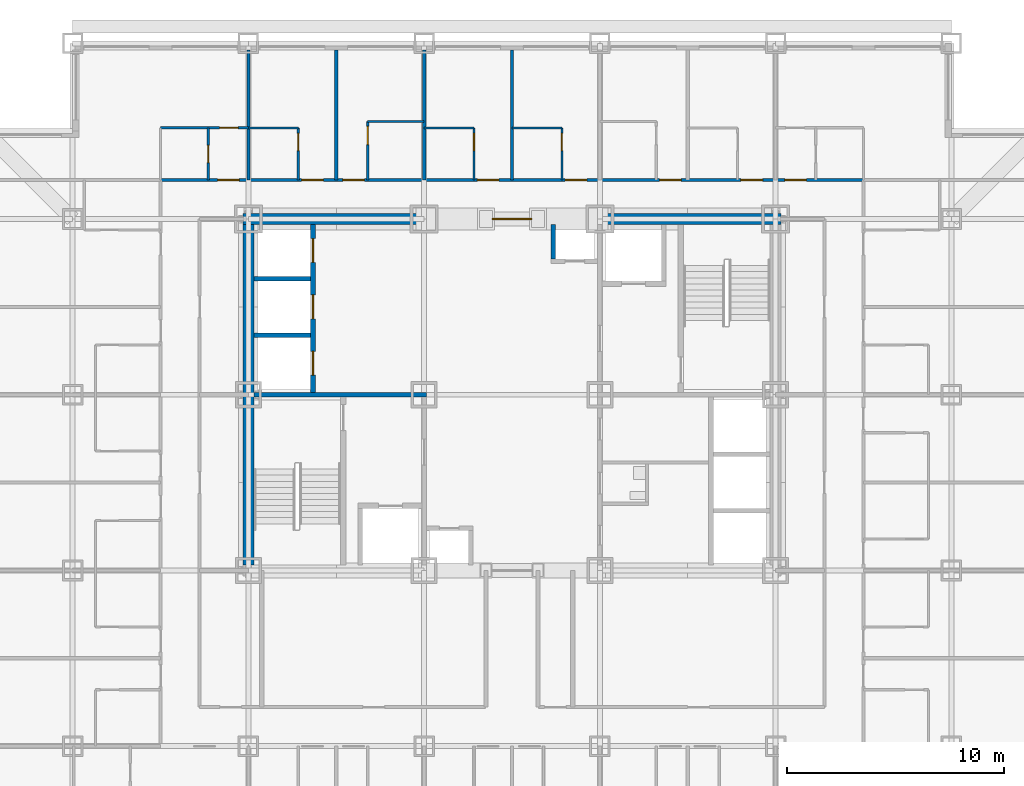
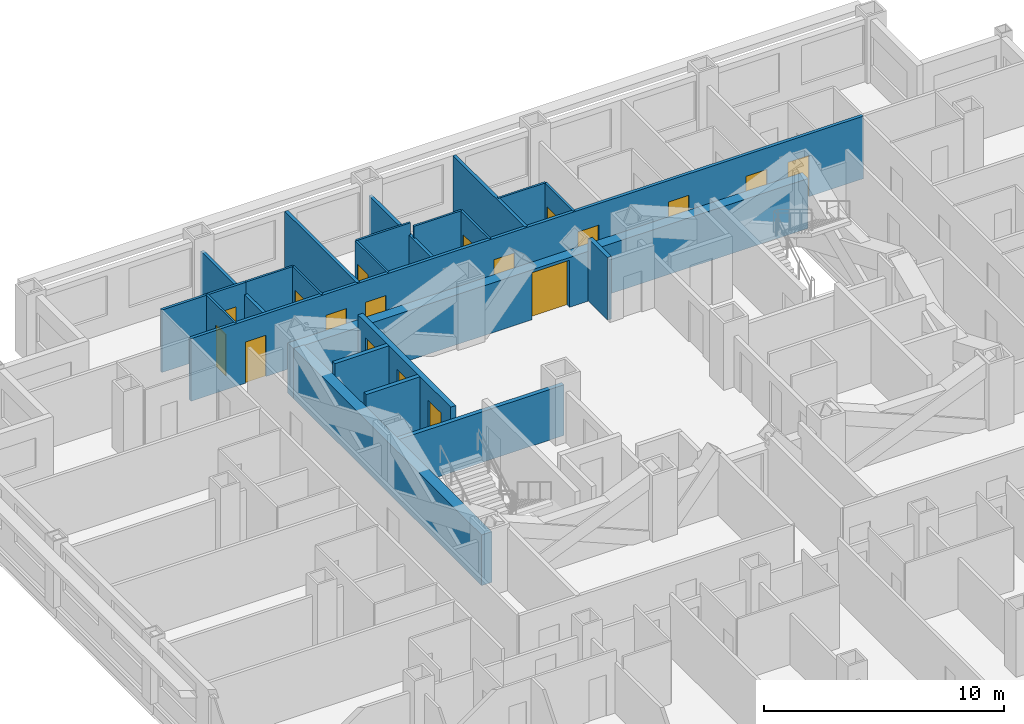
# One storey, part 8 of 12: 22 walls, 18 doors, 18 openings.
"""IFC4 building model written with IfcOpenShell, lengths in metres."""

from ifc_helpers import new_model, si_unit, direction, frame, frame_2d, origin, place, context, subcontext, project, spatial, rectangle, extrude, material, layer, layer_set, type_object, element, fill, save


model = new_model("IFC4")

# Units and contexts
model_context = context("Model", 3, precision=1e-05, world=origin(), true_north=direction((0.0, 1.0)))
body_context = subcontext(model_context, "Body", "Model", "MODEL_VIEW")
ifc_project = project(units=[si_unit("LENGTHUNIT", "METRE"), si_unit("AREAUNIT", "SQUARE_METRE"), si_unit("VOLUMEUNIT", "CUBIC_METRE"), si_unit("PLANEANGLEUNIT", "RADIAN"), si_unit("MASSUNIT", "GRAM", prefix="KILO")], contexts=[model_context])

# Site, building, storey
site_placement = place(None, origin())
site = spatial("IfcSite", under=ifc_project, at=site_placement, CompositionType="ELEMENT")
building_placement = place(site_placement, origin())
building = spatial("IfcBuilding", under=site, at=building_placement, Name="Kopane Lantern Tower", CompositionType="ELEMENT")
storey_placement = place(building_placement, frame((0.0, 0.0, 36.39990234375)))
storey = spatial("IfcBuildingStorey", under=building, at=storey_placement, Name="L07", CompositionType="ELEMENT", Elevation=36.39990234375)

# Wall, opening, door
ifc_material_1 = material(Name="Gypsum board on steel studs", Category="steel")
ifc_layer_1 = layer(ifc_material_1, 0.1201171875)
ifc_layer_set_1 = layer_set([ifc_layer_1], Name="APARTMENT INTERNAL WALL 120")
wall_type_1 = type_object("IfcWallType", Name="APARTMENT INTERNAL WALL 120", PredefinedType="PARTITIONING", material=ifc_layer_set_1)
wall_1_placement = place(storey_placement, frame((12.14990234375, 44.699951171875, 0.0), z_axis=(0.0, 0.0, 1.0), x_axis=(1.0, 0.0, 0.0)))
wall_1 = element("IfcWall", 1, at=wall_1_placement, inside=storey, type_object=wall_type_1, Name="Apartment Internal Wall 120 L07", PredefinedType="PARTITIONING", context=body_context, shape_type="SweptSolid", body=[
    extrude(rectangle(XDim=4.050048828125, YDim=0.1201171875, at=frame_2d((2.02490234375, 0.0))), origin(), (0.0, 0.0, 1.0), 3.190185546875),
])
opening_1_placement = place(wall_1_placement, frame((2.72509765625, 0.0, 0.0)))
opening_1 = element("IfcOpeningElement", 2, at=opening_1_placement, cuts=wall_1, Name="Opening L07-074", PredefinedType="OPENING", context=body_context, shape_type="SweptSolid", body=[
    extrude(rectangle(XDim=0.85009765625, YDim=2.10009765625, at=frame_2d((0.425048828125, 1.050048828125))), frame((0.0, 0.070068359375, 0.0), z_axis=(0.0, -1.0, 0.0), x_axis=(1.0, 0.0, 0.0)), (0.0, 0.0, 1.0), 0.14013671875),
])
ifc_material_2 = material(Name="Timber door set", Category="wood")
door_type_1 = type_object("IfcDoorType", Name="DOOR D4 850x2100", OperationType="SINGLE_SWING_LEFT", PredefinedType="DOOR", material=ifc_material_2)
door_1_placement = place(opening_1_placement, origin())
door_1 = element("IfcDoor", 3, at=door_1_placement, inside=storey, type_object=door_type_1, Name="Door L07-074", OperationType="SINGLE_SWING_LEFT", OverallHeight=2.10009765625, OverallWidth=0.85009765625, PredefinedType="DOOR", context=body_context, shape_type="SweptSolid", body=[
    extrude(rectangle(XDim=0.85009765625, YDim=2.10009765625, at=frame_2d((0.425048828125, 1.050048828125))), frame((0.0, 0.02490234375, 0.0), z_axis=(0.0, -1.0, 0.0), x_axis=(1.0, 0.0, 0.0)), (0.0, 0.0, 1.0), 0.050048828125),
])
fill(opening_1, door_1)

# Wall
ifc_material_3 = material(Name="Moisture-resistant board on steel studs", Category="steel")
ifc_layer_2 = layer(ifc_material_3, 0.10009765625)
ifc_layer_set_2 = layer_set([ifc_layer_2], Name="BATHROOM WALL 100")
wall_type_2 = type_object("IfcWallType", Name="BATHROOM WALL 100", PredefinedType="PARTITIONING", material=ifc_layer_set_2)
wall_2_placement = place(storey_placement, frame((16.199951171875, 44.699951171875, 0.0), z_axis=(0.0, 0.0, 1.0), x_axis=(1.0, 0.0, 0.0)))
element("IfcWall", 4, at=wall_2_placement, inside=storey, type_object=wall_type_2, Name="Bathroom Wall 100 L07", PredefinedType="PARTITIONING", context=body_context, shape_type="SweptSolid", body=[
    extrude(rectangle(XDim=2.300048828125, YDim=0.10009765625, at=frame_2d((1.14990234375, 0.0))), origin(), (0.0, 0.0, 1.0), 3.190185546875),
])

# Wall, opening, door
wall_3_placement = place(storey_placement, frame((18.5, 42.300048828125, 0.0), z_axis=(0.0, 0.0, 1.0), x_axis=(0.0, 1.0, 0.0)))
wall_3 = element("IfcWall", 5, at=wall_3_placement, inside=storey, type_object=wall_type_2, Name="Bathroom Wall 100 L07", PredefinedType="PARTITIONING", context=body_context, shape_type="SweptSolid", body=[
    extrude(rectangle(XDim=2.39990234375, YDim=0.10009765625, at=frame_2d((1.199951171875, 0.0))), origin(), (0.0, 0.0, 1.0), 3.190185546875),
])
opening_2_placement = place(wall_3_placement, frame((1.35009765625, 0.0, 0.0)))
opening_2 = element("IfcOpeningElement", 6, at=opening_2_placement, cuts=wall_3, Name="Opening L07-023", PredefinedType="OPENING", context=body_context, shape_type="SweptSolid", body=[
    extrude(rectangle(XDim=0.800048828125, YDim=2.10009765625, at=frame_2d((0.39990234375, 1.050048828125))), frame((0.0, 0.06005859375, 0.0), z_axis=(0.0, -1.0, 0.0), x_axis=(1.0, 0.0, 0.0)), (0.0, 0.0, 1.0), 0.1201171875),
])
ifc_material_4 = material(Name="Timber door set", Category="wood")
door_type_2 = type_object("IfcDoorType", Name="DOOR D2 800x2100", OperationType="SINGLE_SWING_LEFT", PredefinedType="DOOR", material=ifc_material_4)
door_2_placement = place(opening_2_placement, origin())
door_2 = element("IfcDoor", 7, at=door_2_placement, inside=storey, type_object=door_type_2, Name="Door L07-023", OperationType="SINGLE_SWING_RIGHT", OverallHeight=2.10009765625, OverallWidth=0.800048828125, PredefinedType="DOOR", context=body_context, shape_type="SweptSolid", body=[
    extrude(rectangle(XDim=0.800048828125, YDim=2.10009765625, at=frame_2d((0.39990234375, 1.050048828125))), frame((0.0, 0.02490234375, 0.0), z_axis=(0.0, -1.0, 0.0), x_axis=(1.0, 0.0, 0.0)), (0.0, 0.0, 1.0), 0.050048828125),
])
fill(opening_2, door_2)

# Wall
wall_4_placement = place(storey_placement, frame((21.699951171875, 45.0, 0.0), z_axis=(0.0, 0.0, 1.0), x_axis=(1.0, 0.0, 0.0)))
element("IfcWall", 8, at=wall_4_placement, inside=storey, type_object=wall_type_2, Name="Bathroom Wall 100 L07", PredefinedType="PARTITIONING", context=body_context, shape_type="SweptSolid", body=[
    extrude(rectangle(XDim=2.60009765625, YDim=0.10009765625, at=frame_2d((1.300048828125, 0.0))), origin(), (0.0, 0.0, 1.0), 3.190185546875),
])

# Wall, opening, door
wall_5_placement = place(storey_placement, frame((21.699951171875, 42.300048828125, 0.0), z_axis=(0.0, 0.0, 1.0), x_axis=(0.0, 1.0, 0.0)))
wall_5 = element("IfcWall", 9, at=wall_5_placement, inside=storey, type_object=wall_type_2, Name="Bathroom Wall 100 L07", PredefinedType="PARTITIONING", context=body_context, shape_type="SweptSolid", body=[
    extrude(rectangle(XDim=2.699951171875, YDim=0.10009765625, at=frame_2d((1.35009765625, 0.0))), origin(), (0.0, 0.0, 1.0), 3.190185546875),
])
opening_3_placement = place(wall_5_placement, frame((1.625, 0.0, 0.0)))
opening_3 = element("IfcOpeningElement", 10, at=opening_3_placement, cuts=wall_5, Name="Opening L07-025", PredefinedType="OPENING", context=body_context, shape_type="SweptSolid", body=[
    extrude(rectangle(XDim=0.85009765625, YDim=2.10009765625, at=frame_2d((0.425048828125, 1.050048828125))), frame((0.0, 0.06005859375, 0.0), z_axis=(0.0, -1.0, 0.0), x_axis=(1.0, 0.0, 0.0)), (0.0, 0.0, 1.0), 0.1201171875),
])
door_3_placement = place(opening_3_placement, origin())
door_3 = element("IfcDoor", 11, at=door_3_placement, inside=storey, type_object=door_type_1, Name="Door L07-025", OperationType="SINGLE_SWING_LEFT", OverallHeight=2.10009765625, OverallWidth=0.85009765625, PredefinedType="DOOR", context=body_context, shape_type="SweptSolid", body=[
    extrude(rectangle(XDim=0.85009765625, YDim=2.10009765625, at=frame_2d((0.425048828125, 1.050048828125))), frame((0.0, 0.02490234375, 0.0), z_axis=(0.0, -1.0, 0.0), x_axis=(1.0, 0.0, 0.0)), (0.0, 0.0, 1.0), 0.050048828125),
])
fill(opening_3, door_3)

# Wall
wall_6_placement = place(storey_placement, frame((24.300048828125, 44.699951171875, 0.0), z_axis=(0.0, 0.0, 1.0), x_axis=(1.0, 0.0, 0.0)))
element("IfcWall", 12, at=wall_6_placement, inside=storey, type_object=wall_type_2, Name="Bathroom Wall 100 L07", PredefinedType="PARTITIONING", context=body_context, shape_type="SweptSolid", body=[
    extrude(rectangle(XDim=2.300048828125, YDim=0.10009765625, at=frame_2d((1.14990234375, 0.0))), origin(), (0.0, 0.0, 1.0), 3.190185546875),
])

# Wall, opening, door
wall_7_placement = place(storey_placement, frame((26.60009765625, 42.300048828125, 0.0), z_axis=(0.0, 0.0, 1.0), x_axis=(0.0, 1.0, 0.0)))
wall_7 = element("IfcWall", 13, at=wall_7_placement, inside=storey, type_object=wall_type_2, Name="Bathroom Wall 100 L07", PredefinedType="PARTITIONING", context=body_context, shape_type="SweptSolid", body=[
    extrude(rectangle(XDim=2.39990234375, YDim=0.10009765625, at=frame_2d((1.199951171875, 0.0))), origin(), (0.0, 0.0, 1.0), 3.190185546875),
])
opening_4_placement = place(wall_7_placement, frame((1.35009765625, 0.0, 0.0)))
opening_4 = element("IfcOpeningElement", 14, at=opening_4_placement, cuts=wall_7, Name="Opening L07-027", PredefinedType="OPENING", context=body_context, shape_type="SweptSolid", body=[
    extrude(rectangle(XDim=0.800048828125, YDim=2.10009765625, at=frame_2d((0.39990234375, 1.050048828125))), frame((0.0, 0.06005859375, 0.0), z_axis=(0.0, -1.0, 0.0), x_axis=(1.0, 0.0, 0.0)), (0.0, 0.0, 1.0), 0.1201171875),
])
door_4_placement = place(opening_4_placement, origin())
door_4 = element("IfcDoor", 15, at=door_4_placement, inside=storey, type_object=door_type_2, Name="Door L07-027", OperationType="SINGLE_SWING_RIGHT", OverallHeight=2.10009765625, OverallWidth=0.800048828125, PredefinedType="DOOR", context=body_context, shape_type="SweptSolid", body=[
    extrude(rectangle(XDim=0.800048828125, YDim=2.10009765625, at=frame_2d((0.39990234375, 1.050048828125))), frame((0.0, 0.02490234375, 0.0), z_axis=(0.0, -1.0, 0.0), x_axis=(1.0, 0.0, 0.0)), (0.0, 0.0, 1.0), 0.050048828125),
])
fill(opening_4, door_4)

# Wall
wall_8_placement = place(storey_placement, frame((28.35009765625, 44.699951171875, 0.0), z_axis=(0.0, 0.0, 1.0), x_axis=(1.0, 0.0, 0.0)))
element("IfcWall", 16, at=wall_8_placement, inside=storey, type_object=wall_type_2, Name="Bathroom Wall 100 L07", PredefinedType="PARTITIONING", context=body_context, shape_type="SweptSolid", body=[
    extrude(rectangle(XDim=2.2998046875, YDim=0.10009765625, at=frame_2d((1.14990234375, 0.0))), origin(), (0.0, 0.0, 1.0), 3.190185546875),
])

# Wall, opening, door
wall_9_placement = place(storey_placement, frame((30.64990234375, 42.300048828125, 0.0), z_axis=(0.0, 0.0, 1.0), x_axis=(0.0, 1.0, 0.0)))
wall_9 = element("IfcWall", 17, at=wall_9_placement, inside=storey, type_object=wall_type_2, Name="Bathroom Wall 100 L07", PredefinedType="PARTITIONING", context=body_context, shape_type="SweptSolid", body=[
    extrude(rectangle(XDim=2.39990234375, YDim=0.10009765625, at=frame_2d((1.199951171875, 0.0))), origin(), (0.0, 0.0, 1.0), 3.190185546875),
])
opening_5_placement = place(wall_9_placement, frame((1.35009765625, 0.0, 0.0)))
opening_5 = element("IfcOpeningElement", 18, at=opening_5_placement, cuts=wall_9, Name="Opening L07-029", PredefinedType="OPENING", context=body_context, shape_type="SweptSolid", body=[
    extrude(rectangle(XDim=0.800048828125, YDim=2.10009765625, at=frame_2d((0.39990234375, 1.050048828125))), frame((0.0, 0.06005859375, 0.0), z_axis=(0.0, -1.0, 0.0), x_axis=(1.0, 0.0, 0.0)), (0.0, 0.0, 1.0), 0.1201171875),
])
door_5_placement = place(opening_5_placement, origin())
door_5 = element("IfcDoor", 19, at=door_5_placement, inside=storey, type_object=door_type_2, Name="Door L07-029", OperationType="SINGLE_SWING_RIGHT", OverallHeight=2.10009765625, OverallWidth=0.800048828125, PredefinedType="DOOR", context=body_context, shape_type="SweptSolid", body=[
    extrude(rectangle(XDim=0.800048828125, YDim=2.10009765625, at=frame_2d((0.39990234375, 1.050048828125))), frame((0.0, 0.02490234375, 0.0), z_axis=(0.0, -1.0, 0.0), x_axis=(1.0, 0.0, 0.0)), (0.0, 0.0, 1.0), 0.050048828125),
])
fill(opening_5, door_5)

wall_10_placement = place(storey_placement, frame((14.35009765625, 42.300048828125, 0.0), z_axis=(0.0, 0.0, 1.0), x_axis=(0.0, 1.0, 0.0)))
wall_10 = element("IfcWall", 20, at=wall_10_placement, inside=storey, type_object=wall_type_2, Name="Bathroom Wall 100 L07", PredefinedType="PARTITIONING", context=body_context, shape_type="SweptSolid", body=[
    extrude(rectangle(XDim=2.39990234375, YDim=0.10009765625, at=frame_2d((1.199951171875, 0.0))), origin(), (0.0, 0.0, 1.0), 3.190185546875),
])
opening_6_placement = place(wall_10_placement, frame((0.800048828125, 0.0, 0.0)))
opening_6 = element("IfcOpeningElement", 21, at=opening_6_placement, cuts=wall_10, Name="Opening L07-072", PredefinedType="OPENING", context=body_context, shape_type="SweptSolid", body=[
    extrude(rectangle(XDim=0.800048828125, YDim=2.10009765625, at=frame_2d((0.39990234375, 1.050048828125))), frame((0.0, 0.06005859375, 0.0), z_axis=(0.0, -1.0, 0.0), x_axis=(1.0, 0.0, 0.0)), (0.0, 0.0, 1.0), 0.1201171875),
])
door_6_placement = place(opening_6_placement, origin())
door_6 = element("IfcDoor", 22, at=door_6_placement, inside=storey, type_object=door_type_2, Name="Door L07-072", OperationType="SINGLE_SWING_LEFT", OverallHeight=2.10009765625, OverallWidth=0.800048828125, PredefinedType="DOOR", context=body_context, shape_type="SweptSolid", body=[
    extrude(rectangle(XDim=0.800048828125, YDim=2.10009765625, at=frame_2d((0.39990234375, 1.050048828125))), frame((0.0, 0.02490234375, 0.0), z_axis=(0.0, -1.0, 0.0), x_axis=(1.0, 0.0, 0.0)), (0.0, 0.0, 1.0), 0.050048828125),
])
fill(opening_6, door_6)

ifc_material_5 = material(Name="Gypsum shaft wall EI 120", Category="gypsum")
ifc_layer_3 = layer(ifc_material_5, 0.5)
ifc_layer_set_3 = layer_set([ifc_layer_3], Name="CORE PERIMETER WALL 500 EI 120")
wall_type_3 = type_object("IfcWallType", Name="CORE PERIMETER WALL 500 EI 120", PredefinedType="SOLIDWALL", material=ifc_layer_set_3)
wall_11_placement = place(storey_placement, frame((15.949951171875, 40.5, 0.0), z_axis=(0.0, 0.0, 1.0), x_axis=(1.0, 0.0, 0.0)))
wall_11 = element("IfcWall", 23, at=wall_11_placement, inside=storey, type_object=wall_type_3, Name="Core shaft wall L07 PN", PredefinedType="SOLIDWALL", context=body_context, shape_type="SweptSolid", body=[
    extrude(rectangle(XDim=24.800048828125, YDim=0.5, at=frame_2d((12.39990234375, 0.0))), origin(), (0.0, 0.0, 1.0), 2.5400390625),
])
opening_7_placement = place(wall_11_placement, frame((11.5, 0.0, 0.0)))
opening_7 = element("IfcOpeningElement", 24, at=opening_7_placement, cuts=wall_11, Name="Opening 07.CE-N", PredefinedType="OPENING", context=body_context, shape_type="SweptSolid", body=[
    extrude(rectangle(XDim=1.800048828125, YDim=2.39990234375, at=frame_2d((0.89990234375, 1.199951171875))), frame((0.0, 0.260009765625, 0.0), z_axis=(0.0, -1.0, 0.0), x_axis=(1.0, 0.0, 0.0)), (0.0, 0.0, 1.0), 0.52001953125),
])
ifc_material_6 = material(Name="Steel door set", Category="steel")
door_type_3 = type_object("IfcDoorType", Name="CORE ENTRY DOOR 1800x2400 FD60S", OperationType="DOUBLE_DOOR_SINGLE_SWING", PredefinedType="DOOR", material=ifc_material_6)
door_7_placement = place(opening_7_placement, origin())
door_7 = element("IfcDoor", 25, at=door_7_placement, inside=storey, type_object=door_type_3, Name="Core entry door L07 north", OperationType="DOUBLE_DOOR_SINGLE_SWING", OverallHeight=2.39990234375, OverallWidth=1.800048828125, PredefinedType="DOOR", context=body_context, shape_type="SweptSolid", body=[
    extrude(rectangle(XDim=1.800048828125, YDim=2.39990234375, at=frame_2d((0.89990234375, 1.199951171875))), frame((0.0, 0.02490234375, 0.0), z_axis=(0.0, -1.0, 0.0), x_axis=(1.0, 0.0, 0.0)), (0.0, 0.0, 1.0), 0.050048828125),
])
fill(opening_7, door_7)

# Wall
wall_12_placement = place(storey_placement, frame((16.199951171875, 24.550048828125, 0.0), z_axis=(0.0, 0.0, 1.0), x_axis=(0.0, 1.0, 0.0)))
element("IfcWall", 26, at=wall_12_placement, inside=storey, type_object=wall_type_3, Name="Core shaft wall L07 PW", PredefinedType="SOLIDWALL", context=body_context, shape_type="SweptSolid", body=[
    extrude(rectangle(XDim=15.699951171875, YDim=0.5, at=frame_2d((7.85009765625, 0.0))), origin(), (0.0, 0.0, 1.0), 2.577880859375),
])

# Wall, openings, doors
ifc_material_7 = material(Name="Gypsum shaft wall EI 120", Category="gypsum")
ifc_layer_4 = layer(ifc_material_7, 0.25)
ifc_layer_set_4 = layer_set([ifc_layer_4], Name="CORE SHAFT WALL 250 EI 120")
wall_type_4 = type_object("IfcWallType", Name="CORE SHAFT WALL 250 EI 120", PredefinedType="SOLIDWALL", material=ifc_layer_set_4)
wall_13_placement = place(storey_placement, frame((19.175048828125, 32.5, 0.0), z_axis=(0.0, 0.0, 1.0), x_axis=(0.0, 1.0, 0.0)))
wall_13 = element("IfcWall", 27, at=wall_13_placement, inside=storey, type_object=wall_type_4, Name="Core shaft wall L07 XLH", PredefinedType="SOLIDWALL", context=body_context, shape_type="SweptSolid", body=[
    extrude(rectangle(XDim=7.75, YDim=0.25, at=frame_2d((3.875, 0.0))), origin(), (0.0, 0.0, 1.0), 3.190185546875),
])
opening_8_placement = place(wall_13_placement, frame((0.800048828125, 0.0, 0.0)))
opening_8 = element("IfcOpeningElement", 28, at=opening_8_placement, cuts=wall_13, Name="Opening 07.LD-LH1", PredefinedType="OPENING", context=body_context, shape_type="SweptSolid", body=[
    extrude(rectangle(XDim=1.10009765625, YDim=2.39990234375, at=frame_2d((0.550048828125, 1.199951171875))), frame((0.0, 0.135009765625, 0.0), z_axis=(0.0, -1.0, 0.0), x_axis=(1.0, 0.0, 0.0)), (0.0, 0.0, 1.0), 0.27001953125),
])
opening_9_placement = place(wall_13_placement, frame((3.39990234375, 0.0, 0.0)))
opening_9 = element("IfcOpeningElement", 29, at=opening_9_placement, cuts=wall_13, Name="Opening 07.LD-LH2", PredefinedType="OPENING", context=body_context, shape_type="SweptSolid", body=[
    extrude(rectangle(XDim=1.10009765625, YDim=2.39990234375, at=frame_2d((0.550048828125, 1.199951171875))), frame((0.0, 0.135009765625, 0.0), z_axis=(0.0, -1.0, 0.0), x_axis=(1.0, 0.0, 0.0)), (0.0, 0.0, 1.0), 0.27001953125),
])
opening_10_placement = place(wall_13_placement, frame((6.0, 0.0, 0.0)))
opening_10 = element("IfcOpeningElement", 30, at=opening_10_placement, cuts=wall_13, Name="Opening 07.LD-LH3", PredefinedType="OPENING", context=body_context, shape_type="SweptSolid", body=[
    extrude(rectangle(XDim=1.10009765625, YDim=2.39990234375, at=frame_2d((0.550048828125, 1.199951171875))), frame((0.0, 0.135009765625, 0.0), z_axis=(0.0, -1.0, 0.0), x_axis=(1.0, 0.0, 0.0)), (0.0, 0.0, 1.0), 0.27001953125),
])
ifc_material_8 = material(Name="Steel door set", Category="steel")
door_type_4 = type_object("IfcDoorType", Name="LIFT LANDING DOOR 1100x2400 FD60", OperationType="DOUBLE_DOOR_SLIDING", PredefinedType="DOOR", material=ifc_material_8)
door_8_placement = place(opening_8_placement, origin())
door_8 = element("IfcDoor", 31, at=door_8_placement, inside=storey, type_object=door_type_4, Name="Landing door LH1 L07", OperationType="DOUBLE_DOOR_SLIDING", OverallHeight=2.39990234375, OverallWidth=1.10009765625, PredefinedType="DOOR", context=body_context, shape_type="SweptSolid", body=[
    extrude(rectangle(XDim=1.10009765625, YDim=2.39990234375, at=frame_2d((0.550048828125, 1.199951171875))), frame((0.0, 0.02490234375, 0.0), z_axis=(0.0, -1.0, 0.0), x_axis=(1.0, 0.0, 0.0)), (0.0, 0.0, 1.0), 0.050048828125),
])
fill(opening_8, door_8)
door_9_placement = place(opening_9_placement, origin())
door_9 = element("IfcDoor", 32, at=door_9_placement, inside=storey, type_object=door_type_4, Name="Landing door LH2 L07", OperationType="DOUBLE_DOOR_SLIDING", OverallHeight=2.39990234375, OverallWidth=1.10009765625, PredefinedType="DOOR", context=body_context, shape_type="SweptSolid", body=[
    extrude(rectangle(XDim=1.10009765625, YDim=2.39990234375, at=frame_2d((0.550048828125, 1.199951171875))), frame((0.0, 0.02490234375, 0.0), z_axis=(0.0, -1.0, 0.0), x_axis=(1.0, 0.0, 0.0)), (0.0, 0.0, 1.0), 0.050048828125),
])
fill(opening_9, door_9)
door_10_placement = place(opening_10_placement, origin())
door_10 = element("IfcDoor", 33, at=door_10_placement, inside=storey, type_object=door_type_4, Name="Landing door LH3 L07", OperationType="DOUBLE_DOOR_SLIDING", OverallHeight=2.39990234375, OverallWidth=1.10009765625, PredefinedType="DOOR", context=body_context, shape_type="SweptSolid", body=[
    extrude(rectangle(XDim=1.10009765625, YDim=2.39990234375, at=frame_2d((0.550048828125, 1.199951171875))), frame((0.0, 0.02490234375, 0.0), z_axis=(0.0, -1.0, 0.0), x_axis=(1.0, 0.0, 0.0)), (0.0, 0.0, 1.0), 0.050048828125),
])
fill(opening_10, door_10)

ifc_material_9 = material(Name="Gypsum board on steel studs", Category="steel")
ifc_layer_5 = layer(ifc_material_9, 0.14990234375)
ifc_layer_set_5 = layer_set([ifc_layer_5], Name="CORRIDOR WALL 150 EI 60")
wall_type_5 = type_object("IfcWallType", Name="CORRIDOR WALL 150 EI 60", PredefinedType="PARTITIONING", material=ifc_layer_set_5)
wall_14_placement = place(storey_placement, frame((12.14990234375, 42.300048828125, 0.0), z_axis=(0.0, 0.0, 1.0), x_axis=(1.0, 0.0, 0.0)))
wall_14 = element("IfcWall", 34, at=wall_14_placement, inside=storey, type_object=wall_type_5, Name="Corridor Wall 150 Ei 60 L07", PredefinedType="PARTITIONING", context=body_context, shape_type="SweptSolid", body=[
    extrude(rectangle(XDim=32.400146484375, YDim=0.14990234375, at=frame_2d((16.2001953125, 0.0))), origin(), (0.0, 0.0, 1.0), 3.190185546875),
])
opening_11_placement = place(wall_14_placement, frame((6.5, 0.0, 0.0)))
opening_11 = element("IfcOpeningElement", 35, at=opening_11_placement, cuts=wall_14, Name="Opening L07-024", PredefinedType="OPENING", context=body_context, shape_type="SweptSolid", body=[
    extrude(rectangle(XDim=1.0, YDim=2.10009765625, at=frame_2d((0.5, 1.050048828125))), frame((0.0, 0.0849609375, 0.0), z_axis=(0.0, -1.0, 0.0), x_axis=(1.0, 0.0, 0.0)), (0.0, 0.0, 1.0), 0.169921875),
])
opening_12_placement = place(wall_14_placement, frame((8.39990234375, 0.0, 0.0)))
opening_12 = element("IfcOpeningElement", 36, at=opening_12_placement, cuts=wall_14, Name="Opening L07-026", PredefinedType="OPENING", context=body_context, shape_type="SweptSolid", body=[
    extrude(rectangle(XDim=1.0, YDim=2.10009765625, at=frame_2d((0.5, 1.050048828125))), frame((0.0, 0.0849609375, 0.0), z_axis=(0.0, -1.0, 0.0), x_axis=(1.0, 0.0, 0.0)), (0.0, 0.0, 1.0), 0.169921875),
])
opening_13_placement = place(wall_14_placement, frame((14.60009765625, 0.0, 0.0)))
opening_13 = element("IfcOpeningElement", 37, at=opening_13_placement, cuts=wall_14, Name="Opening L07-028", PredefinedType="OPENING", context=body_context, shape_type="SweptSolid", body=[
    extrude(rectangle(XDim=1.0, YDim=2.10009765625, at=frame_2d((0.5, 1.050048828125))), frame((0.0, 0.0849609375, 0.0), z_axis=(0.0, -1.0, 0.0), x_axis=(1.0, 0.0, 0.0)), (0.0, 0.0, 1.0), 0.169921875),
])
opening_14_placement = place(wall_14_placement, frame((18.64990234375, 0.0, 0.0)))
opening_14 = element("IfcOpeningElement", 38, at=opening_14_placement, cuts=wall_14, Name="Opening L07-030", PredefinedType="OPENING", context=body_context, shape_type="SweptSolid", body=[
    extrude(rectangle(XDim=1.0, YDim=2.10009765625, at=frame_2d((0.5, 1.050048828125))), frame((0.0, 0.0849609375, 0.0), z_axis=(0.0, -1.0, 0.0), x_axis=(1.0, 0.0, 0.0)), (0.0, 0.0, 1.0), 0.169921875),
])
opening_15_placement = place(wall_14_placement, frame((23.0, 0.0, 0.0)))
opening_15 = element("IfcOpeningElement", 39, at=opening_15_placement, cuts=wall_14, Name="Opening L07-032", PredefinedType="OPENING", context=body_context, shape_type="SweptSolid", body=[
    extrude(rectangle(XDim=1.0, YDim=2.10009765625, at=frame_2d((0.5, 1.050048828125))), frame((0.0, 0.0849609375, 0.0), z_axis=(0.0, -1.0, 0.0), x_axis=(1.0, 0.0, 0.0)), (0.0, 0.0, 1.0), 0.169921875),
])
opening_16_placement = place(wall_14_placement, frame((26.75, 0.0, 0.0)))
opening_16 = element("IfcOpeningElement", 40, at=opening_16_placement, cuts=wall_14, Name="Opening L07-034", PredefinedType="OPENING", context=body_context, shape_type="SweptSolid", body=[
    extrude(rectangle(XDim=1.0, YDim=2.10009765625, at=frame_2d((0.5, 1.050048828125))), frame((0.0, 0.0849609375, 0.0), z_axis=(0.0, -1.0, 0.0), x_axis=(1.0, 0.0, 0.0)), (0.0, 0.0, 1.0), 0.169921875),
])
opening_17_placement = place(wall_14_placement, frame((28.77490234375, 0.0, 0.0)))
opening_17 = element("IfcOpeningElement", 41, at=opening_17_placement, cuts=wall_14, Name="Opening L07-070", PredefinedType="OPENING", context=body_context, shape_type="SweptSolid", body=[
    extrude(rectangle(XDim=1.0, YDim=2.10009765625, at=frame_2d((0.5, 1.050048828125))), frame((0.0, 0.0849609375, 0.0), z_axis=(0.0, -1.0, 0.0), x_axis=(1.0, 0.0, 0.0)), (0.0, 0.0, 1.0), 0.169921875),
])
opening_18_placement = place(wall_14_placement, frame((2.625, 0.0, 0.0)))
opening_18 = element("IfcOpeningElement", 42, at=opening_18_placement, cuts=wall_14, Name="Opening L07-073", PredefinedType="OPENING", context=body_context, shape_type="SweptSolid", body=[
    extrude(rectangle(XDim=1.0, YDim=2.10009765625, at=frame_2d((0.5, 1.050048828125))), frame((0.0, 0.0849609375, 0.0), z_axis=(0.0, -1.0, 0.0), x_axis=(1.0, 0.0, 0.0)), (0.0, 0.0, 1.0), 0.169921875),
])
ifc_material_10 = material(Name="Steel door set", Category="steel")
door_type_5 = type_object("IfcDoorType", Name="DOOR D1 1000x2100 FD30S", OperationType="SINGLE_SWING_LEFT", PredefinedType="DOOR", material=ifc_material_10)
door_11_placement = place(opening_11_placement, origin())
door_11 = element("IfcDoor", 43, at=door_11_placement, inside=storey, type_object=door_type_5, Name="Door L07-024", OperationType="SINGLE_SWING_LEFT", OverallHeight=2.10009765625, OverallWidth=1.0, PredefinedType="DOOR", context=body_context, shape_type="SweptSolid", body=[
    extrude(rectangle(XDim=1.0, YDim=2.10009765625, at=frame_2d((0.5, 1.050048828125))), frame((0.0, 0.02490234375, 0.0), z_axis=(0.0, -1.0, 0.0), x_axis=(1.0, 0.0, 0.0)), (0.0, 0.0, 1.0), 0.050048828125),
])
fill(opening_11, door_11)
door_12_placement = place(opening_12_placement, origin())
door_12 = element("IfcDoor", 44, at=door_12_placement, inside=storey, type_object=door_type_5, Name="Door L07-026", OperationType="SINGLE_SWING_RIGHT", OverallHeight=2.10009765625, OverallWidth=1.0, PredefinedType="DOOR", context=body_context, shape_type="SweptSolid", body=[
    extrude(rectangle(XDim=1.0, YDim=2.10009765625, at=frame_2d((0.5, 1.050048828125))), frame((0.0, 0.02490234375, 0.0), z_axis=(0.0, -1.0, 0.0), x_axis=(1.0, 0.0, 0.0)), (0.0, 0.0, 1.0), 0.050048828125),
])
fill(opening_12, door_12)
door_13_placement = place(opening_13_placement, origin())
door_13 = element("IfcDoor", 45, at=door_13_placement, inside=storey, type_object=door_type_5, Name="Door L07-028", OperationType="SINGLE_SWING_LEFT", OverallHeight=2.10009765625, OverallWidth=1.0, PredefinedType="DOOR", context=body_context, shape_type="SweptSolid", body=[
    extrude(rectangle(XDim=1.0, YDim=2.10009765625, at=frame_2d((0.5, 1.050048828125))), frame((0.0, 0.02490234375, 0.0), z_axis=(0.0, -1.0, 0.0), x_axis=(1.0, 0.0, 0.0)), (0.0, 0.0, 1.0), 0.050048828125),
])
fill(opening_13, door_13)
door_14_placement = place(opening_14_placement, origin())
door_14 = element("IfcDoor", 46, at=door_14_placement, inside=storey, type_object=door_type_5, Name="Door L07-030", OperationType="SINGLE_SWING_LEFT", OverallHeight=2.10009765625, OverallWidth=1.0, PredefinedType="DOOR", context=body_context, shape_type="SweptSolid", body=[
    extrude(rectangle(XDim=1.0, YDim=2.10009765625, at=frame_2d((0.5, 1.050048828125))), frame((0.0, 0.02490234375, 0.0), z_axis=(0.0, -1.0, 0.0), x_axis=(1.0, 0.0, 0.0)), (0.0, 0.0, 1.0), 0.050048828125),
])
fill(opening_14, door_14)
door_15_placement = place(opening_15_placement, origin())
door_15 = element("IfcDoor", 47, at=door_15_placement, inside=storey, type_object=door_type_5, Name="Door L07-032", OperationType="SINGLE_SWING_LEFT", OverallHeight=2.10009765625, OverallWidth=1.0, PredefinedType="DOOR", context=body_context, shape_type="SweptSolid", body=[
    extrude(rectangle(XDim=1.0, YDim=2.10009765625, at=frame_2d((0.5, 1.050048828125))), frame((0.0, 0.02490234375, 0.0), z_axis=(0.0, -1.0, 0.0), x_axis=(1.0, 0.0, 0.0)), (0.0, 0.0, 1.0), 0.050048828125),
])
fill(opening_15, door_15)
door_16_placement = place(opening_16_placement, origin())
door_16 = element("IfcDoor", 48, at=door_16_placement, inside=storey, type_object=door_type_5, Name="Door L07-034", OperationType="SINGLE_SWING_LEFT", OverallHeight=2.10009765625, OverallWidth=1.0, PredefinedType="DOOR", context=body_context, shape_type="SweptSolid", body=[
    extrude(rectangle(XDim=1.0, YDim=2.10009765625, at=frame_2d((0.5, 1.050048828125))), frame((0.0, 0.02490234375, 0.0), z_axis=(0.0, -1.0, 0.0), x_axis=(1.0, 0.0, 0.0)), (0.0, 0.0, 1.0), 0.050048828125),
])
fill(opening_16, door_16)
door_17_placement = place(opening_17_placement, origin())
door_17 = element("IfcDoor", 49, at=door_17_placement, inside=storey, type_object=door_type_5, Name="Door L07-070", OperationType="SINGLE_SWING_RIGHT", OverallHeight=2.10009765625, OverallWidth=1.0, PredefinedType="DOOR", context=body_context, shape_type="SweptSolid", body=[
    extrude(rectangle(XDim=1.0, YDim=2.10009765625, at=frame_2d((0.5, 1.050048828125))), frame((0.0, 0.02490234375, 0.0), z_axis=(0.0, -1.0, 0.0), x_axis=(1.0, 0.0, 0.0)), (0.0, 0.0, 1.0), 0.050048828125),
])
fill(opening_17, door_17)
door_18_placement = place(opening_18_placement, origin())
door_18 = element("IfcDoor", 50, at=door_18_placement, inside=storey, type_object=door_type_5, Name="Door L07-073", OperationType="SINGLE_SWING_LEFT", OverallHeight=2.10009765625, OverallWidth=1.0, PredefinedType="DOOR", context=body_context, shape_type="SweptSolid", body=[
    extrude(rectangle(XDim=1.0, YDim=2.10009765625, at=frame_2d((0.5, 1.050048828125))), frame((0.0, 0.02490234375, 0.0), z_axis=(0.0, -1.0, 0.0), x_axis=(1.0, 0.0, 0.0)), (0.0, 0.0, 1.0), 0.050048828125),
])
fill(opening_18, door_18)

# Walls
ifc_material_11 = material(Name="Gypsum board on steel studs", Category="steel")
ifc_layer_6 = layer(ifc_material_11, 0.14990234375)
ifc_layer_set_6 = layer_set([ifc_layer_6], Name="DEMISING WALL 150 EI 60")
wall_type_6 = type_object("IfcWallType", Name="DEMISING WALL 150 EI 60", PredefinedType="PARTITIONING", material=ifc_layer_set_6)
wall_15_placement = place(storey_placement, frame((20.25, 42.300048828125, 0.0), z_axis=(0.0, 0.0, 1.0), x_axis=(0.0, 1.0, 0.0)))
element("IfcWall", 51, at=wall_15_placement, inside=storey, type_object=wall_type_6, Name="Demising Wall 150 Ei 60 L07", PredefinedType="PARTITIONING", context=body_context, shape_type="SweptSolid", body=[
    extrude(rectangle(XDim=6.0, YDim=0.14990234375, at=frame_2d((3.0, 0.0))), origin(), (0.0, 0.0, 1.0), 3.190185546875),
])
wall_16_placement = place(storey_placement, frame((24.300048828125, 42.300048828125, 0.0), z_axis=(0.0, 0.0, 1.0), x_axis=(0.0, 1.0, 0.0)))
element("IfcWall", 52, at=wall_16_placement, inside=storey, type_object=wall_type_6, Name="Demising Wall 150 Ei 60 L07", PredefinedType="PARTITIONING", context=body_context, shape_type="SweptSolid", body=[
    extrude(rectangle(XDim=6.0, YDim=0.14990234375, at=frame_2d((3.0, 0.0))), origin(), (0.0, 0.0, 1.0), 2.577880859375),
])
wall_17_placement = place(storey_placement, frame((28.35009765625, 42.300048828125, 0.0), z_axis=(0.0, 0.0, 1.0), x_axis=(0.0, 1.0, 0.0)))
element("IfcWall", 53, at=wall_17_placement, inside=storey, type_object=wall_type_6, Name="Demising Wall 150 Ei 60 L07", PredefinedType="PARTITIONING", context=body_context, shape_type="SweptSolid", body=[
    extrude(rectangle(XDim=6.0, YDim=0.14990234375, at=frame_2d((3.0, 0.0))), origin(), (0.0, 0.0, 1.0), 3.190185546875),
])
wall_18_placement = place(storey_placement, frame((16.199951171875, 42.300048828125, 0.0), z_axis=(0.0, 0.0, 1.0), x_axis=(0.0, 1.0, 0.0)))
element("IfcWall", 54, at=wall_18_placement, inside=storey, type_object=wall_type_6, Name="Demising Wall 150 Ei 60 L07", PredefinedType="PARTITIONING", context=body_context, shape_type="SweptSolid", body=[
    extrude(rectangle(XDim=6.0, YDim=0.14990234375, at=frame_2d((3.0, 0.0))), origin(), (0.0, 0.0, 1.0), 2.577880859375),
])
ifc_material_12 = material(Name="Gypsum shaft wall EI 120", Category="gypsum")
ifc_layer_7 = layer(ifc_material_12, 0.199951171875)
ifc_layer_set_7 = layer_set([ifc_layer_7], Name="SHAFT WALL 200 EI 120")
wall_type_7 = type_object("IfcWallType", Name="SHAFT WALL 200 EI 120", PredefinedType="SOLIDWALL", material=ifc_layer_set_7)
wall_19_placement = place(storey_placement, frame((16.449951171875, 32.39990234375, 0.0), z_axis=(0.0, 0.0, 1.0), x_axis=(1.0, 0.0, 0.0)))
element("IfcWall", 55, at=wall_19_placement, inside=storey, type_object=wall_type_7, Name="Core shaft wall L07 Y324W", PredefinedType="SOLIDWALL", context=body_context, shape_type="SweptSolid", body=[
    extrude(rectangle(XDim=7.949951171875, YDim=0.199951171875, at=frame_2d((3.97509765625, 0.0))), origin(), (0.0, 0.0, 1.0), 2.577880859375),
])
for number, where, z_axis, x_axis, name in (
    (56, (16.449951171875, 35.14990234375, 0.0), (0.0, 0.0, 1.0), (1.0, 0.0, 0.0), "Core shaft wall L07 YLH12"),
    (57, (16.449951171875, 37.75, 0.0), (0.0, 0.0, 1.0), (1.0, 0.0, 0.0), "Core shaft wall L07 YLH23"),
):
    element("IfcWall", number, at=place(storey_placement, frame(where, z_axis=z_axis, x_axis=x_axis)), inside=storey, type_object=wall_type_7, Name=name, PredefinedType="SOLIDWALL", context=body_context, shape_type="SweptSolid", body=[
        extrude(rectangle(XDim=2.60009765625, YDim=0.199951171875, at=frame_2d((1.300048828125, 0.0))), origin(), (0.0, 0.0, 1.0), 3.190185546875),
    ])
wall_20_placement = place(storey_placement, frame((30.25, 38.64990234375, 0.0), z_axis=(0.0, 0.0, 1.0), x_axis=(0.0, 1.0, 0.0)))
element("IfcWall", 58, at=wall_20_placement, inside=storey, type_object=wall_type_7, Name="Core shaft wall L07 XRS2", PredefinedType="SOLIDWALL", context=body_context, shape_type="SweptSolid", body=[
    extrude(rectangle(XDim=1.60009765625, YDim=0.199951171875, at=frame_2d((0.800048828125, 0.0))), origin(), (0.0, 0.0, 1.0), 3.190185546875),
])

save(model, "model.ifc")
